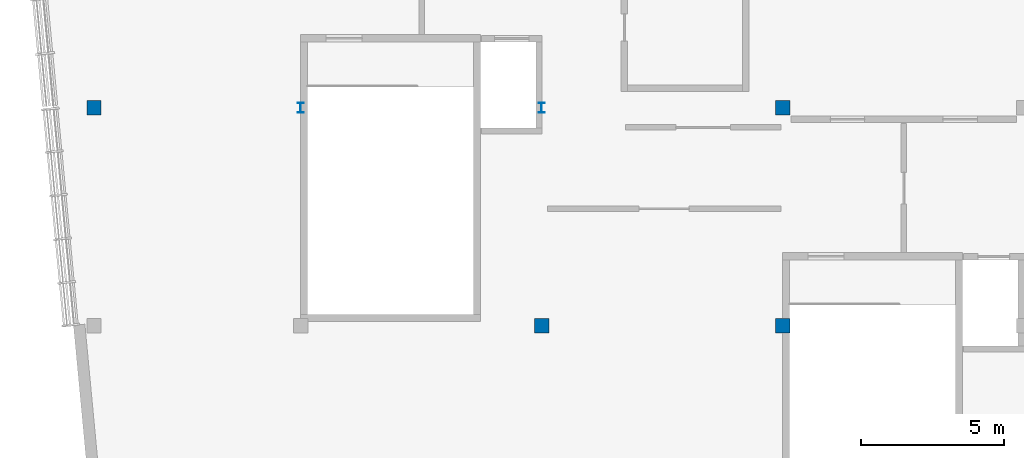
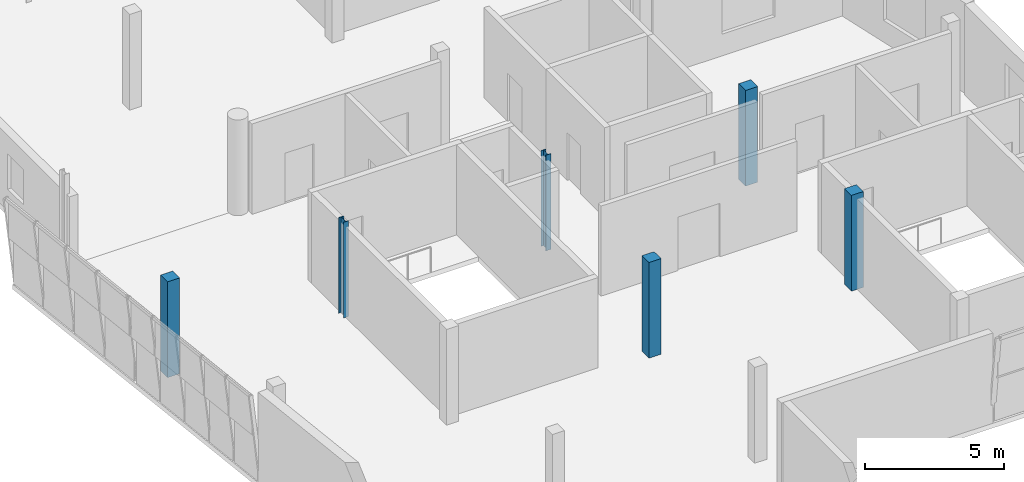
# One storey, part 2 of 17: 6 columns.
"""IFC4 building model written with IfcOpenShell, lengths in metres."""

from ifc_helpers import new_model, si_unit, direction, frame, origin, origin_2d, place, context, subcontext, project, spatial, rectangle, i_section, extrude, material, material_profile, profile_set, type_object, element, save


model = new_model("IFC4")

# Units and contexts
model_context = context("Model", 3, precision=1e-05, world=origin(), true_north=direction((0.0, 1.0)))
body_context = subcontext(model_context, "Body", "Model", "MODEL_VIEW")
ifc_project = project(units=[si_unit("LENGTHUNIT", "METRE"), si_unit("AREAUNIT", "SQUARE_METRE"), si_unit("VOLUMEUNIT", "CUBIC_METRE"), si_unit("PLANEANGLEUNIT", "RADIAN"), si_unit("MASSUNIT", "GRAM", prefix="KILO")], contexts=[model_context])

# Site, building, storey
site_placement = place(None, origin())
site = spatial("IfcSite", under=ifc_project, at=site_placement, CompositionType="ELEMENT")
building_placement = place(site_placement, origin())
building = spatial("IfcBuilding", under=site, at=building_placement, Name="Xicomal Pleat Aquarium", CompositionType="ELEMENT")
storey_placement = place(building_placement, frame((0.0, 0.0, 19.800048828125)))
storey = spatial("IfcBuildingStorey", under=building, at=storey_placement, Name="L05", CompositionType="ELEMENT", Elevation=19.800048828125)

# Columns
ifc_material_1 = material(Name="Concrete C35/45", Category="concrete")
ifc_material_profile_1 = material_profile(ifc_material_1, rectangle(XDim=0.5, YDim=0.5, at=origin_2d()), Name="RC 500x500")
ifc_profile_set_1 = profile_set([ifc_material_profile_1], Name="Concrete C35/45")
column_type_1 = type_object("IfcColumnType", Name="COL-RC-500x500", PredefinedType="COLUMN", material=ifc_profile_set_1)
for number, where, z_axis, x_axis, name in (
    (1, (3.0, 30.39990234375, 0.0), (0.0, 0.0, 1.0), (1.0, 0.0, 0.0), "L05 column 01/E"),
    (2, (18.60009765625, 22.800048828125, 0.0), (0.0, 0.0, 1.0), (1.0, 0.0, 0.0), "L05 column 03/D"),
    (3, (27.0, 22.800048828125, 0.0), (0.0, 0.0, 1.0), (1.0, 0.0, 0.0), "L05 column 04/D"),
    (4, (27.0, 30.39990234375, 0.0), (0.0, 0.0, 1.0), (1.0, 0.0, 0.0), "L05 column 04/E"),
):
    element("IfcColumn", number, at=place(storey_placement, frame(where, z_axis=z_axis, x_axis=x_axis)), inside=storey, type_object=column_type_1, Name=name, PredefinedType="COLUMN", context=body_context, shape_type="SweptSolid", body=[
        extrude(rectangle(XDim=0.5, YDim=0.5, at=origin_2d()), origin(), (0.0, 0.0, 1.0), 4.199951171875),
    ])
ifc_material_2 = material(Name="Structural steel A992 Gr 50", Category="steel")
ifc_material_profile_2 = material_profile(ifc_material_2, i_section(OverallWidth=0.205078125, OverallDepth=0.35400390625, WebThickness=0.009521484375, FlangeThickness=0.016845703125, at=origin_2d()), Name="IR 360x79")
ifc_profile_set_2 = profile_set([ifc_material_profile_2], Name="Structural steel A992 Gr 50")
column_type_2 = type_object("IfcColumnType", Name="COL-STL-IR360", PredefinedType="COLUMN", material=ifc_profile_set_2)
for number, where, z_axis, x_axis, name in (
    (5, (10.199951171875, 30.39990234375, 0.0), (0.0, 0.0, 1.0), (1.0, 0.0, 0.0), "L05 column 02/E"),
    (6, (18.60009765625, 30.39990234375, 0.0), (0.0, 0.0, 1.0), (1.0, 0.0, 0.0), "L05 column 03/E"),
):
    element("IfcColumn", number, at=place(storey_placement, frame(where, z_axis=z_axis, x_axis=x_axis)), inside=storey, type_object=column_type_2, Name=name, PredefinedType="COLUMN", context=body_context, shape_type="SweptSolid", body=[
        extrude(i_section(OverallWidth=0.205078125, OverallDepth=0.35400390625, WebThickness=0.009521484375, FlangeThickness=0.016845703125, at=origin_2d()), origin(), (0.0, 0.0, 1.0), 4.199951171875),
    ])

save(model, "model.ifc")
